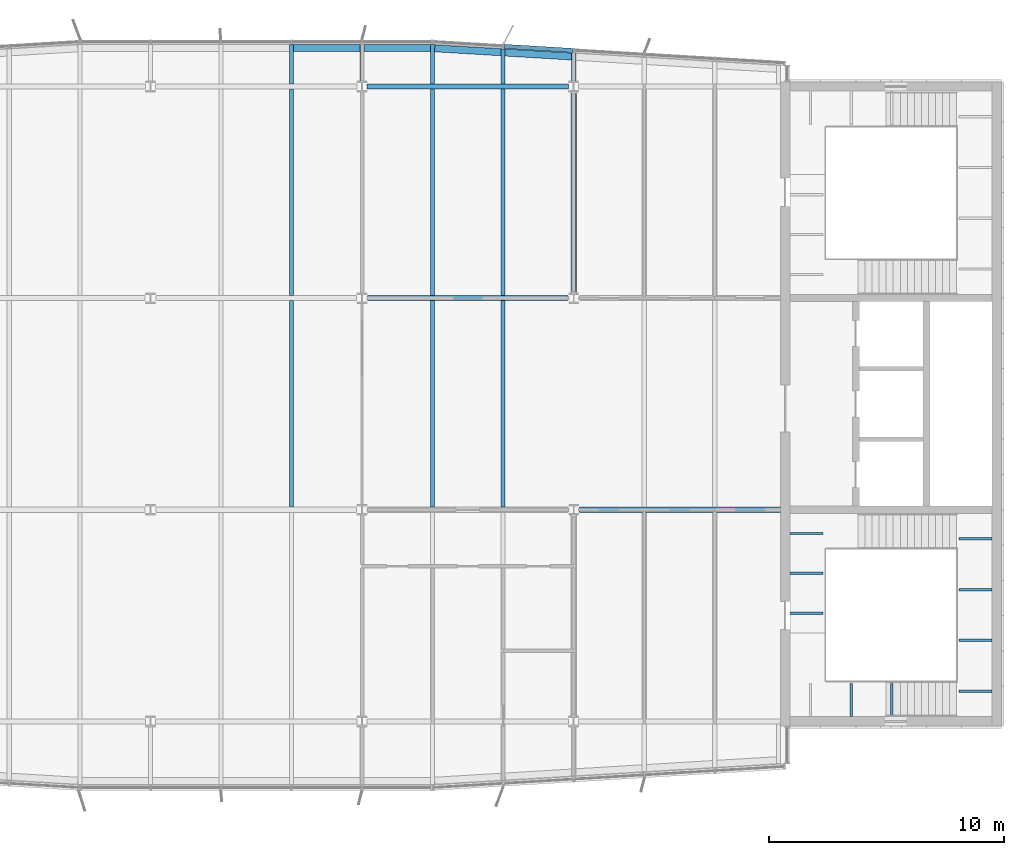
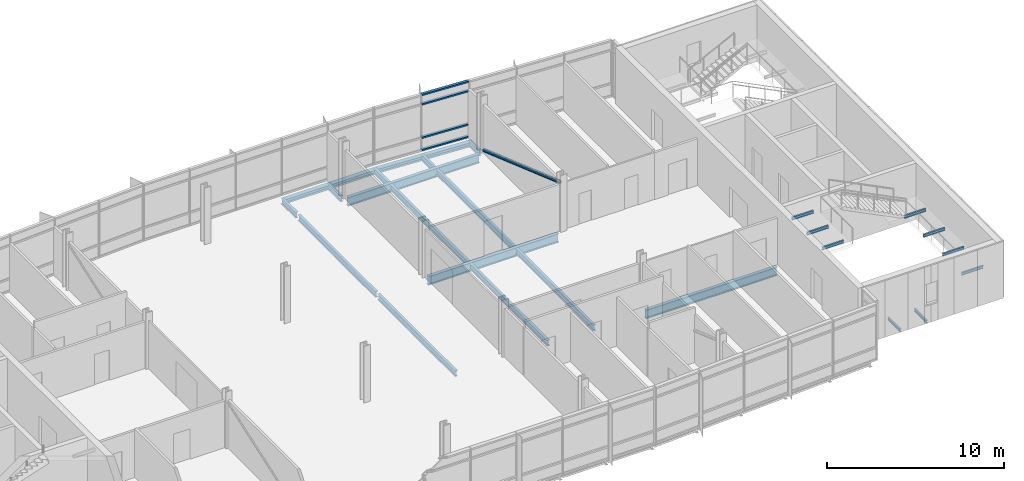
# One storey, part 7 of 21: 27 beams, 5 members, 1 element without a shape of its own.
"""IFC4 building model written with IfcOpenShell, lengths in metres."""

from ifc_helpers import new_model, si_unit, direction, frame, origin, origin_2d, place, context, subcontext, project, spatial, rectangle, hollow_circle, i_section, extrude, material, material_profile, profile_set, type_object, element, aggregate, save


model = new_model("IFC4")

# Units and contexts
model_context = context("Model", 3, precision=1e-05, world=origin(), true_north=direction((0.0, 1.0)))
body_context = subcontext(model_context, "Body", "Model", "MODEL_VIEW")
ifc_project = project(units=[si_unit("LENGTHUNIT", "METRE"), si_unit("AREAUNIT", "SQUARE_METRE"), si_unit("VOLUMEUNIT", "CUBIC_METRE"), si_unit("PLANEANGLEUNIT", "RADIAN"), si_unit("MASSUNIT", "GRAM", prefix="KILO")], contexts=[model_context])

# Site, building, storey
site_placement = place(None, origin())
site = spatial("IfcSite", under=ifc_project, at=site_placement, CompositionType="ELEMENT")
building_placement = place(site_placement, origin())
building = spatial("IfcBuilding", under=site, at=building_placement, Name="Azimuth Sports and Learning Centre", CompositionType="ELEMENT")
storey_placement = place(building_placement, frame((0.0, 0.0, 32.39990234375)))
storey = spatial("IfcBuildingStorey", under=building, at=storey_placement, Name="L06", CompositionType="ELEMENT", Elevation=32.39990234375)

# Beams
ifc_material_1 = material(Name="Steel S355", Category="steel")
ifc_material_profile_1 = material_profile(ifc_material_1, i_section(OverallWidth=0.10009765625, OverallDepth=0.199951171875, WebThickness=0.005615234375, FlangeThickness=0.008544921875, FilletRadius=0.011962890625, at=origin_2d()), Name="IPE 200")
ifc_profile_set_1 = profile_set([ifc_material_profile_1], Name="Steel S355")
beam_type_1 = type_object("IfcBeamType", Name="Beam IPE 200", PredefinedType="BEAM", material=ifc_profile_set_1)
for number, where, z_axis, x_axis, name in (
    (1, (110.800048828125, 90.199951171875, -0.2998046875), (0.0, 1.0, 0.0), (-1.0, 0.0, 0.0), "Landing bracket E1 L06 416"),
    (2, (112.526611328125, 90.199951171875, -0.2998046875), (0.0, 1.0, 0.0), (-1.0, 0.0, 0.0), "Landing bracket E1 L06 417"),
    (3, (116.800048828125, 91.288818359375, 1.35009765625), (-1.0, 0.0, 0.0), (0.0, -1.0, 0.0), "Landing bracket E1 L06 418"),
    (4, (116.800048828125, 93.4462890625, 1.35009765625), (-1.0, 0.0, 0.0), (0.0, -1.0, 0.0), "Landing bracket E1 L06 419"),
    (5, (116.800048828125, 95.603759765625, 1.35009765625), (-1.0, 0.0, 0.0), (0.0, -1.0, 0.0), "Landing bracket E1 L06 420"),
    (6, (116.800048828125, 97.76123046875, 1.35009765625), (-1.0, 0.0, 0.0), (0.0, -1.0, 0.0), "Landing bracket E1 L06 421"),
    (7, (108.199951171875, 94.598388671875, 3.60009765625), (1.0, 0.0, 0.0), (0.0, 1.0, 0.0), "Landing bracket E1 L06 422"),
    (8, (108.199951171875, 96.294921875, 3.60009765625), (1.0, 0.0, 0.0), (0.0, 1.0, 0.0), "Landing bracket E1 L06 423"),
    (9, (108.199951171875, 97.99169921875, 3.60009765625), (1.0, 0.0, 0.0), (0.0, 1.0, 0.0), "Landing bracket E1 L06 424"),
):
    element("IfcBeam", number, at=place(storey_placement, frame(where, z_axis=z_axis, x_axis=x_axis)), inside=storey, type_object=beam_type_1, Name=name, PredefinedType="BEAM", context=body_context, shape_type="SweptSolid", body=[
        extrude(i_section(OverallWidth=0.10009765625, OverallDepth=0.199951171875, WebThickness=0.005615234375, FlangeThickness=0.008544921875, FilletRadius=0.011962890625, at=origin_2d()), origin(), (0.0, 0.0, 1.0), 1.41015625),
    ])
ifc_material_2 = material(Name="Steel S355", Category="steel")
ifc_material_profile_2 = material_profile(ifc_material_2, i_section(OverallWidth=0.219970703125, OverallDepth=0.60009765625, WebThickness=0.011962890625, FlangeThickness=0.01904296875, FilletRadius=0.02392578125, at=origin_2d()), Name="IPE 600")
ifc_profile_set_2 = profile_set([ifc_material_profile_2], Name="Steel S355")
beam_type_2 = type_object("IfcBeamType", Name="Beam IPE 600", PredefinedType="BEAM", material=ifc_profile_set_2)
beam_1_placement = place(storey_placement, frame((99.238037109375, 99.0, -0.429931640625), z_axis=(1.0, 0.0, 0.0), x_axis=(0.0, 1.0, 0.0)))
element("IfcBeam", 10, at=beam_1_placement, inside=storey, type_object=beam_type_2, Name="Tower girder L06", PredefinedType="BEAM", context=body_context, shape_type="SweptSolid", body=[
    extrude(i_section(OverallWidth=0.219970703125, OverallDepth=0.60009765625, WebThickness=0.011962890625, FlangeThickness=0.01904296875, FilletRadius=0.02392578125, at=origin_2d()), origin(), (0.0, 0.0, 1.0), 8.56201171875),
])
beam_2_placement = place(storey_placement, frame((90.238037109375, 108.0, -0.429931640625), z_axis=(1.0, 0.0, 0.0), x_axis=(0.0, 1.0, 0.0)))
element("IfcBeam", 11, at=beam_2_placement, inside=storey, type_object=beam_type_2, Name="Tower girder L06", PredefinedType="BEAM", context=body_context, shape_type="SweptSolid", body=[
    extrude(i_section(OverallWidth=0.219970703125, OverallDepth=0.60009765625, WebThickness=0.011962890625, FlangeThickness=0.01904296875, FilletRadius=0.02392578125, at=origin_2d()), origin(), (0.0, 0.0, 1.0), 8.52392578125),
])
beam_3_placement = place(storey_placement, frame((90.2119140625, 117.0, -0.429931640625), z_axis=(1.0, 0.0, 0.0), x_axis=(0.0, 1.0, 0.0)))
element("IfcBeam", 12, at=beam_3_placement, inside=storey, type_object=beam_type_2, Name="Tower girder L06", PredefinedType="BEAM", context=body_context, shape_type="SweptSolid", body=[
    extrude(i_section(OverallWidth=0.219970703125, OverallDepth=0.60009765625, WebThickness=0.011962890625, FlangeThickness=0.01904296875, FilletRadius=0.02392578125, at=origin_2d()), origin(), (0.0, 0.0, 1.0), 8.576171875),
])

# Member
ifc_material_3 = material(Name="Steel S355", Category="steel")
ifc_material_profile_3 = material_profile(ifc_material_3, hollow_circle(Radius=0.122314453125, WallThickness=0.012451171875, at=origin_2d()), Name="CHS 244.5x12.5")
ifc_profile_set_3 = profile_set([ifc_material_profile_3], Name="Steel S355")
member_type_1 = type_object("IfcMemberType", Name="Brace CHS 244.5x12.5", PredefinedType="BRACE", material=ifc_profile_set_3)
member_1_placement = place(storey_placement, frame((99.0, 108.238037109375, 3.150634765625), z_axis=(0.0, 0.943699867633, -0.330802901785), x_axis=(-1.0, 0.0, 0.0)))
element("IfcMember", 13, at=member_1_placement, inside=storey, type_object=member_type_1, Name="Tower brace 12 L06", PredefinedType="BRACE", context=body_context, shape_type="SweptSolid", body=[
    extrude(hollow_circle(Radius=0.122314453125, WallThickness=0.012451171875, at=origin_2d()), origin(), (0.0, 0.0, 1.0), 9.011962890625),
])

# Beams
ifc_material_4 = material(Name="Steel S355", Category="steel")
ifc_material_profile_4 = material_profile(ifc_material_4, i_section(OverallWidth=0.179931640625, OverallDepth=0.39990234375, WebThickness=0.008544921875, FlangeThickness=0.013427734375, FilletRadius=0.02099609375, at=origin_2d()), Name="IPE 400")
ifc_profile_set_4 = profile_set([ifc_material_profile_4], Name="Steel S355")
beam_type_3 = type_object("IfcBeamType", Name="Cantilever stub IPE 400", PredefinedType="JOIST", material=ifc_profile_set_4)
beam_4_placement = place(storey_placement, frame((87.0, 117.110107421875, -0.329833984375), z_axis=(0.0, 1.0, 0.0), x_axis=(-1.0, 0.0, 0.0)))
element("IfcBeam", 14, at=beam_4_placement, inside=storey, type_object=beam_type_3, Name="Tower cantilever stub", PredefinedType="JOIST", context=body_context, shape_type="SweptSolid", body=[
    extrude(i_section(OverallWidth=0.179931640625, OverallDepth=0.39990234375, WebThickness=0.008544921875, FlangeThickness=0.013427734375, FilletRadius=0.02099609375, at=origin_2d()), origin(), (0.0, 0.0, 1.0), 1.669921875),
])
beam_5_placement = place(storey_placement, frame((90.0, 117.237060546875, -0.329833984375), z_axis=(0.0, 1.0, 0.0), x_axis=(-1.0, 0.0, 0.0)))
element("IfcBeam", 15, at=beam_5_placement, inside=storey, type_object=beam_type_3, Name="Tower cantilever stub", PredefinedType="JOIST", context=body_context, shape_type="SweptSolid", body=[
    extrude(i_section(OverallWidth=0.179931640625, OverallDepth=0.39990234375, WebThickness=0.008544921875, FlangeThickness=0.013427734375, FilletRadius=0.02099609375, at=origin_2d()), origin(), (0.0, 0.0, 1.0), 1.54296875),
])
beam_6_placement = place(storey_placement, frame((93.0, 117.110107421875, -0.329833984375), z_axis=(0.0, 1.0, 0.0), x_axis=(-1.0, 0.0, 0.0)))
element("IfcBeam", 16, at=beam_6_placement, inside=storey, type_object=beam_type_3, Name="Tower cantilever stub", PredefinedType="JOIST", context=body_context, shape_type="SweptSolid", body=[
    extrude(i_section(OverallWidth=0.179931640625, OverallDepth=0.39990234375, WebThickness=0.008544921875, FlangeThickness=0.013427734375, FilletRadius=0.02099609375, at=origin_2d()), origin(), (0.0, 0.0, 1.0), 1.669921875),
])
beam_7_placement = place(storey_placement, frame((96.0, 117.110107421875, -0.329833984375), z_axis=(0.0, 1.0, 0.0), x_axis=(-1.0, 0.0, 0.0)))
element("IfcBeam", 17, at=beam_7_placement, inside=storey, type_object=beam_type_3, Name="Tower cantilever stub", PredefinedType="JOIST", context=body_context, shape_type="SweptSolid", body=[
    extrude(i_section(OverallWidth=0.179931640625, OverallDepth=0.39990234375, WebThickness=0.008544921875, FlangeThickness=0.013427734375, FilletRadius=0.02099609375, at=origin_2d()), origin(), (0.0, 0.0, 1.0), 1.489990234375),
])
beam_8_placement = place(storey_placement, frame((99.0, 117.237060546875, -0.329833984375), z_axis=(0.0, 1.0, 0.0), x_axis=(-1.0, 0.0, 0.0)))
element("IfcBeam", 18, at=beam_8_placement, inside=storey, type_object=beam_type_3, Name="Tower cantilever stub", PredefinedType="JOIST", context=body_context, shape_type="SweptSolid", body=[
    extrude(i_section(OverallWidth=0.179931640625, OverallDepth=0.39990234375, WebThickness=0.008544921875, FlangeThickness=0.013427734375, FilletRadius=0.02099609375, at=origin_2d()), origin(), (0.0, 0.0, 1.0), 1.182861328125),
])
ifc_material_5 = material(Name="Steel S355", Category="steel")
ifc_material_profile_5 = material_profile(ifc_material_5, i_section(OverallWidth=0.300048828125, OverallDepth=0.2900390625, WebThickness=0.008544921875, FlangeThickness=0.013916015625, FilletRadius=0.027099609375, at=origin_2d()), Name="HEA 300")
ifc_profile_set_5 = profile_set([ifc_material_profile_5], Name="Steel S355")
beam_type_4 = type_object("IfcBeamType", Name="Edge beam HEA 300", PredefinedType="SPANDREL", material=ifc_profile_set_5)
for number, where, z_axis, x_axis, name in (
    (19, (87.090087890625, 118.6298828125, -0.27490234375), (1.0, 0.0, 0.0), (0.0, 1.0, 0.0), "Tower edge beam"),
    (20, (90.090087890625, 118.6298828125, -0.27490234375), (1.0, 0.0, 0.0), (0.0, 1.0, 0.0), "Tower edge beam"),
):
    element("IfcBeam", number, at=place(storey_placement, frame(where, z_axis=z_axis, x_axis=x_axis)), inside=storey, type_object=beam_type_4, Name=name, PredefinedType="SPANDREL", context=body_context, shape_type="SweptSolid", body=[
        extrude(i_section(OverallWidth=0.300048828125, OverallDepth=0.2900390625, WebThickness=0.008544921875, FlangeThickness=0.013916015625, FilletRadius=0.027099609375, at=origin_2d()), origin(), (0.0, 0.0, 1.0), 2.81982421875),
    ])
for number, where, z_axis, x_axis, name in (
    (21, (93.090087890625, 118.62451171875, -0.27490234375), (0.998204845466, -0.059892290728, 0.0), (0.059892290728, 0.998204845466, 0.0), "Tower edge beam"),
    (22, (96.090087890625, 118.444580078125, -0.27490234375), (0.998204845466, -0.059892290728, 0.0), (0.059892290728, 0.998204845466, 0.0), "Tower edge beam"),
):
    element("IfcBeam", number, at=place(storey_placement, frame(where, z_axis=z_axis, x_axis=x_axis)), inside=storey, type_object=beam_type_4, Name=name, PredefinedType="SPANDREL", context=body_context, shape_type="SweptSolid", body=[
        extrude(i_section(OverallWidth=0.300048828125, OverallDepth=0.2900390625, WebThickness=0.008544921875, FlangeThickness=0.013916015625, FilletRadius=0.027099609375, at=origin_2d()), origin(), (0.0, 0.0, 1.0), 2.824951171875),
    ])
ifc_material_6 = material(Name="Steel S355", Category="steel")
ifc_material_profile_6 = material_profile(ifc_material_6, i_section(OverallWidth=0.179931640625, OverallDepth=0.39990234375, WebThickness=0.008544921875, FlangeThickness=0.013427734375, FilletRadius=0.02099609375, at=origin_2d()), Name="IPE 400")
ifc_profile_set_6 = profile_set([ifc_material_profile_6], Name="Steel S355")
beam_type_5 = type_object("IfcBeamType", Name="Joist IPE 400", PredefinedType="JOIST", material=ifc_profile_set_6)
for number, where, z_axis, x_axis, name in (
    (23, (87.0, 99.110107421875, -0.329833984375), (0.0, 1.0, 0.0), (-1.0, 0.0, 0.0), "Tower joist"),
    (24, (87.0, 108.110107421875, -0.329833984375), (0.0, 1.0, 0.0), (-1.0, 0.0, 0.0), "Tower joist"),
    (25, (93.0, 99.110107421875, -0.329833984375), (0.0, 1.0, 0.0), (-1.0, 0.0, 0.0), "Tower joist"),
    (26, (93.0, 108.110107421875, -0.329833984375), (0.0, 1.0, 0.0), (-1.0, 0.0, 0.0), "Tower joist"),
    (27, (96.0, 99.110107421875, -0.329833984375), (0.0, 1.0, 0.0), (-1.0, 0.0, 0.0), "Tower joist"),
    (28, (96.0, 108.110107421875, -0.329833984375), (0.0, 1.0, 0.0), (-1.0, 0.0, 0.0), "Tower joist"),
):
    element("IfcBeam", number, at=place(storey_placement, frame(where, z_axis=z_axis, x_axis=x_axis)), inside=storey, type_object=beam_type_5, Name=name, PredefinedType="JOIST", context=body_context, shape_type="SweptSolid", body=[
        extrude(i_section(OverallWidth=0.179931640625, OverallDepth=0.39990234375, WebThickness=0.008544921875, FlangeThickness=0.013427734375, FilletRadius=0.02099609375, at=origin_2d()), origin(), (0.0, 0.0, 1.0), 8.77978515625),
    ])

# Curtain wall, members
ifc_material_7 = material(Name="Aluminium and glass", Category="aluminium")
curtain_wall_type = type_object("IfcCurtainWallType", Name="Curtain wall tower north 180", PredefinedType="NOTDEFINED", material=ifc_material_7)
curtain_wall_placement = place(storey_placement, origin())
curtain_wall = element("IfcCurtainWall", 29, at=curtain_wall_placement, inside=storey, type_object=curtain_wall_type, Name="Curtain wall CW06-007", PredefinedType="NOTDEFINED")
ifc_material_8 = material(Name="Aluminium", Category="aluminium")
ifc_material_profile_7 = material_profile(ifc_material_8, rectangle(XDim=0.179931640625, YDim=0.10009765625, at=origin_2d()), Name="Transom 100x180")
ifc_profile_set_7 = profile_set([ifc_material_profile_7], Name="Aluminium")
member_type_2 = type_object("IfcMemberType", Name="Transom 100x180", PredefinedType="USERDEFINED", material=ifc_profile_set_7)
member_2_placement = place(storey_placement, frame((98.975341796875, 118.53173828125, 0.050048828125), z_axis=(-0.998207421552, 0.059849340505, 0.0), x_axis=(-0.059849340505, -0.998207421552, 0.0)))
member_2 = element("IfcMember", 30, at=member_2_placement, type_object=member_type_2, Name="CW06-007 transom 4.1", ObjectType="TRANSOM", PredefinedType="USERDEFINED", context=body_context, shape_type="SweptSolid", body=[
    extrude(rectangle(XDim=0.179931640625, YDim=0.10009765625, at=origin_2d()), origin(), (0.0, 0.0, 1.0), 2.9453125),
])
member_3_placement = place(storey_placement, frame((98.975341796875, 118.53173828125, 0.900146484375), z_axis=(-0.998207421552, 0.059849340505, 0.0), x_axis=(-0.059849340505, -0.998207421552, 0.0)))
member_3 = element("IfcMember", 31, at=member_3_placement, type_object=member_type_2, Name="CW06-007 transom 4.2", ObjectType="TRANSOM", PredefinedType="USERDEFINED", context=body_context, shape_type="SweptSolid", body=[
    extrude(rectangle(XDim=0.179931640625, YDim=0.10009765625, at=origin_2d()), origin(), (0.0, 0.0, 1.0), 2.9453125),
])
member_4_placement = place(storey_placement, frame((98.975341796875, 118.53173828125, 3.2001953125), z_axis=(-0.998207421552, 0.059849340505, 0.0), x_axis=(-0.059849340505, -0.998207421552, 0.0)))
member_4 = element("IfcMember", 32, at=member_4_placement, type_object=member_type_2, Name="CW06-007 transom 4.3", ObjectType="TRANSOM", PredefinedType="USERDEFINED", context=body_context, shape_type="SweptSolid", body=[
    extrude(rectangle(XDim=0.179931640625, YDim=0.10009765625, at=origin_2d()), origin(), (0.0, 0.0, 1.0), 2.9453125),
])
member_5_placement = place(storey_placement, frame((98.975341796875, 118.53173828125, 3.85009765625), z_axis=(-0.998207421552, 0.059849340505, 0.0), x_axis=(-0.059849340505, -0.998207421552, 0.0)))
member_5 = element("IfcMember", 33, at=member_5_placement, type_object=member_type_2, Name="CW06-007 transom 4.4", ObjectType="TRANSOM", PredefinedType="USERDEFINED", context=body_context, shape_type="SweptSolid", body=[
    extrude(rectangle(XDim=0.179931640625, YDim=0.10009765625, at=origin_2d()), origin(), (0.0, 0.0, 1.0), 2.9453125),
])
aggregate(curtain_wall, [member_2, member_3, member_4, member_5])

save(model, "model.ifc")
